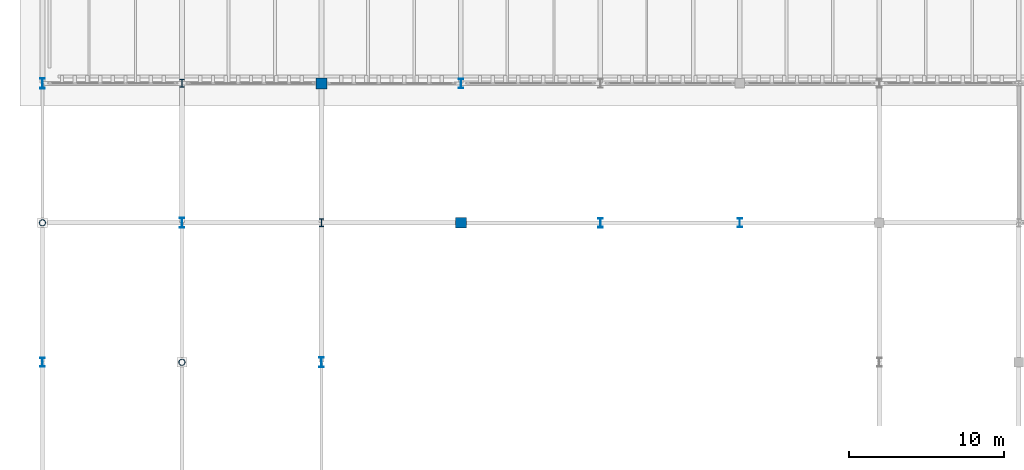
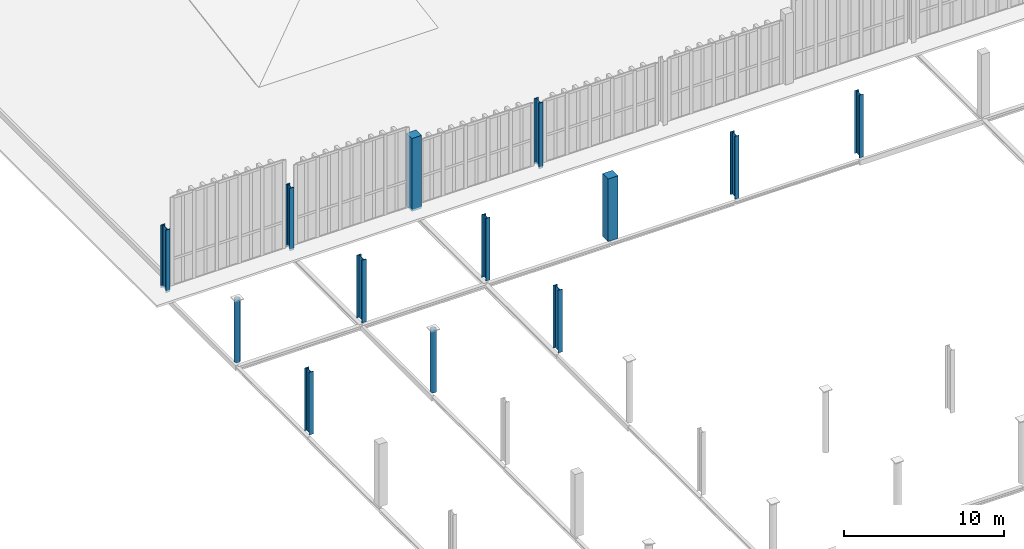
# One storey, part 3 of 196: 13 columns.
"""IFC4 building model written with IfcOpenShell, lengths in metres."""

from ifc_helpers import new_model, si_unit, direction, frame, origin, origin_2d, place, context, subcontext, project, spatial, rectangle, hollow_circle, i_section, extrude, material, material_profile, profile_set, type_object, element, save


model = new_model("IFC4")

# Units and contexts
model_context = context("Model", 3, precision=1e-05, world=origin(), true_north=direction((0.0, 1.0)))
body_context = subcontext(model_context, "Body", "Model", "MODEL_VIEW")
ifc_project = project(units=[si_unit("LENGTHUNIT", "METRE"), si_unit("AREAUNIT", "SQUARE_METRE"), si_unit("VOLUMEUNIT", "CUBIC_METRE"), si_unit("PLANEANGLEUNIT", "RADIAN"), si_unit("MASSUNIT", "GRAM", prefix="KILO")], contexts=[model_context])

# Site, building, storey
site_placement = place(None, origin())
site = spatial("IfcSite", under=ifc_project, at=site_placement, CompositionType="ELEMENT")
building_placement = place(site_placement, origin())
building = spatial("IfcBuilding", under=site, at=building_placement, Name="Barlavento Convention Centre", CompositionType="ELEMENT")
storey_placement = place(building_placement, frame((0.0, 0.0, 18.0)))
storey = spatial("IfcBuildingStorey", under=building, at=storey_placement, Name="L03", CompositionType="ELEMENT", Elevation=18.0)

# Columns
ifc_material_1 = material(Name="Steel S355", Category="steel")
ifc_material_profile_1 = material_profile(ifc_material_1, hollow_circle(Radius=0.203125, WallThickness=0.01611328125, at=origin_2d()), Name="CHS 406.4x16.0")
ifc_profile_set_1 = profile_set([ifc_material_profile_1], Name="Steel S355")
column_type_1 = type_object("IfcColumnType", Name="STR-COL-CHS406", PredefinedType="COLUMN", material=ifc_profile_set_1)
for number, where, z_axis, x_axis, name in (
    (1, (0.0, 45.0, 0.0), (0.0, 0.0, 1.0), (1.0, 0.0, 0.0), "L03 Congress hall column SC14"),
    (2, (9.0, 36.0, 0.0), (0.0, 0.0, 1.0), (1.0, 0.0, 0.0), "L03 Congress hall column SC14"),
):
    element("IfcColumn", number, at=place(storey_placement, frame(where, z_axis=z_axis, x_axis=x_axis)), inside=storey, type_object=column_type_1, Name=name, PredefinedType="COLUMN", context=body_context, shape_type="SweptSolid", body=[
        extrude(hollow_circle(Radius=0.203125, WallThickness=0.01611328125, at=origin_2d()), origin(), (0.0, 0.0, 1.0), 4.800048828125),
    ])
ifc_material_profile_2 = material_profile(ifc_material_1, i_section(OverallWidth=0.300048828125, OverallDepth=0.60009765625, WebThickness=0.015380859375, FlangeThickness=0.030029296875, FilletRadius=0.027099609375, at=origin_2d()), Name="HEB 600")
ifc_profile_set_2 = profile_set([ifc_material_profile_2], Name="Steel S355")
column_type_2 = type_object("IfcColumnType", Name="STR-COL-HEB600", PredefinedType="COLUMN", material=ifc_profile_set_2)
column_1_placement = place(storey_placement, frame((45.0, 45.0, 0.0), z_axis=(0.0, 0.0, 1.0), x_axis=(1.0, 0.0, 0.0)))
element("IfcColumn", 3, at=column_1_placement, inside=storey, type_object=column_type_2, Name="L03 Congress hall column SC08", PredefinedType="COLUMN", context=body_context, shape_type="SweptSolid", body=[
    extrude(i_section(OverallWidth=0.300048828125, OverallDepth=0.60009765625, WebThickness=0.015380859375, FlangeThickness=0.030029296875, FilletRadius=0.027099609375, at=origin_2d()), origin(), (0.0, 0.0, 1.0), 4.800048828125),
])
ifc_material_profile_3 = material_profile(ifc_material_1, i_section(OverallWidth=0.305908203125, OverallDepth=0.52392578125, WebThickness=0.02099609375, FlangeThickness=0.0400390625, FilletRadius=0.027099609375, at=origin_2d()), Name="HEM 500")
ifc_profile_set_3 = profile_set([ifc_material_profile_3], Name="Steel S355")
column_type_3 = type_object("IfcColumnType", Name="STR-COL-HEM500", PredefinedType="COLUMN", material=ifc_profile_set_3)
for number, where, z_axis, x_axis, name in (
    (4, (9.0, 54.0, 0.0), (0.0, 0.0, 1.0), (1.0, 0.0, 0.0), "L03 Congress hall column SC07"),
    (5, (18.0, 45.0, 0.0), (0.0, 0.0, 1.0), (1.0, 0.0, 0.0), "L03 Congress hall column SC07"),
):
    element("IfcColumn", number, at=place(storey_placement, frame(where, z_axis=z_axis, x_axis=x_axis)), inside=storey, type_object=column_type_3, Name=name, PredefinedType="COLUMN", context=body_context, shape_type="SweptSolid", body=[
        extrude(i_section(OverallWidth=0.305908203125, OverallDepth=0.52392578125, WebThickness=0.02099609375, FlangeThickness=0.0400390625, FilletRadius=0.027099609375, at=origin_2d()), origin(), (0.0, 0.0, 1.0), 4.800048828125),
    ])
ifc_material_profile_4 = material_profile(ifc_material_1, i_section(OverallWidth=0.305908203125, OverallDepth=0.572021484375, WebThickness=0.02099609375, FlangeThickness=0.0400390625, FilletRadius=0.027099609375, at=origin_2d()), Name="HEM 550")
ifc_profile_set_4 = profile_set([ifc_material_profile_4], Name="Steel S355")
column_type_4 = type_object("IfcColumnType", Name="STR-COL-HEM550", PredefinedType="COLUMN", material=ifc_profile_set_4)
column_2_placement = place(storey_placement, frame((0.0, 36.0, 0.0), z_axis=(0.0, 0.0, 1.0), x_axis=(1.0, 0.0, 0.0)))
element("IfcColumn", 6, at=column_2_placement, inside=storey, type_object=column_type_4, Name="L03 Congress hall column SC06", PredefinedType="COLUMN", context=body_context, shape_type="SweptSolid", body=[
    extrude(i_section(OverallWidth=0.305908203125, OverallDepth=0.572021484375, WebThickness=0.02099609375, FlangeThickness=0.0400390625, FilletRadius=0.027099609375, at=origin_2d()), origin(), (0.0, 0.0, 1.0), 4.800048828125),
])
ifc_material_profile_5 = material_profile(ifc_material_1, i_section(OverallWidth=0.304931640625, OverallDepth=0.6201171875, WebThickness=0.02099609375, FlangeThickness=0.0400390625, FilletRadius=0.027099609375, at=origin_2d()), Name="HEM 600")
ifc_profile_set_5 = profile_set([ifc_material_profile_5], Name="Steel S355")
column_type_5 = type_object("IfcColumnType", Name="STR-COL-HEM600", PredefinedType="COLUMN", material=ifc_profile_set_5)
column_3_placement = place(storey_placement, frame((27.0, 54.0, 0.0), z_axis=(0.0, 0.0, 1.0), x_axis=(1.0, 0.0, 0.0)))
element("IfcColumn", 7, at=column_3_placement, inside=storey, type_object=column_type_5, Name="L03 Congress hall column SC05", PredefinedType="COLUMN", context=body_context, shape_type="SweptSolid", body=[
    extrude(i_section(OverallWidth=0.304931640625, OverallDepth=0.6201171875, WebThickness=0.02099609375, FlangeThickness=0.0400390625, FilletRadius=0.027099609375, at=origin_2d()), origin(), (0.0, 0.0, 1.0), 5.0390625),
])
column_4_placement = place(storey_placement, frame((36.0, 45.0, 0.0), z_axis=(0.0, 0.0, 1.0), x_axis=(1.0, 0.0, 0.0)))
element("IfcColumn", 8, at=column_4_placement, inside=storey, type_object=column_type_5, Name="L03 Congress hall column SC05", PredefinedType="COLUMN", context=body_context, shape_type="SweptSolid", body=[
    extrude(i_section(OverallWidth=0.304931640625, OverallDepth=0.6201171875, WebThickness=0.02099609375, FlangeThickness=0.0400390625, FilletRadius=0.027099609375, at=origin_2d()), origin(), (0.0, 0.0, 1.0), 4.800048828125),
])
ifc_material_2 = material(Name="Steel S460", Category="steel")
ifc_material_profile_6 = material_profile(ifc_material_2, i_section(OverallWidth=0.304931640625, OverallDepth=0.66796875, WebThickness=0.02099609375, FlangeThickness=0.0400390625, FilletRadius=0.027099609375, at=origin_2d()), Name="HEM 650")
ifc_profile_set_6 = profile_set([ifc_material_profile_6], Name="Steel S460")
column_type_6 = type_object("IfcColumnType", Name="STR-COL-HEM650", PredefinedType="COLUMN", material=ifc_profile_set_6)
for number, where, z_axis, x_axis, name in (
    (9, (0.0, 54.0, 0.0), (0.0, 0.0, 1.0), (1.0, 0.0, 0.0), "L03 Congress hall column SC04"),
    (10, (9.0, 45.0, 0.0), (0.0, 0.0, 1.0), (1.0, 0.0, 0.0), "L03 Congress hall column SC04"),
    (11, (18.0, 36.0, 0.0), (0.0, 0.0, 1.0), (1.0, 0.0, 0.0), "L03 Congress hall column SC04"),
):
    element("IfcColumn", number, at=place(storey_placement, frame(where, z_axis=z_axis, x_axis=x_axis)), inside=storey, type_object=column_type_6, Name=name, PredefinedType="COLUMN", context=body_context, shape_type="SweptSolid", body=[
        extrude(i_section(OverallWidth=0.304931640625, OverallDepth=0.66796875, WebThickness=0.02099609375, FlangeThickness=0.0400390625, FilletRadius=0.027099609375, at=origin_2d()), origin(), (0.0, 0.0, 1.0), 4.800048828125),
    ])
ifc_material_3 = material(Name="Concrete C40/50", Category="concrete")
ifc_material_profile_7 = material_profile(ifc_material_3, rectangle(XDim=0.699951171875, YDim=0.699951171875, at=origin_2d()), Name="RC 700x700")
ifc_profile_set_7 = profile_set([ifc_material_profile_7], Name="Concrete C40/50")
column_type_7 = type_object("IfcColumnType", Name="STR-COL-RC700", PredefinedType="COLUMN", material=ifc_profile_set_7)
column_5_placement = place(storey_placement, frame((18.0, 54.0, 0.0), z_axis=(0.0, 0.0, 1.0), x_axis=(1.0, 0.0, 0.0)))
element("IfcColumn", 12, at=column_5_placement, inside=storey, type_object=column_type_7, Name="L03 Congress hall column CC06", PredefinedType="COLUMN", context=body_context, shape_type="SweptSolid", body=[
    extrude(rectangle(XDim=0.699951171875, YDim=0.699951171875, at=origin_2d()), origin(), (0.0, 0.0, 1.0), 5.582763671875),
])
column_6_placement = place(storey_placement, frame((27.0, 45.0, 0.0), z_axis=(0.0, 0.0, 1.0), x_axis=(1.0, 0.0, 0.0)))
element("IfcColumn", 13, at=column_6_placement, inside=storey, type_object=column_type_7, Name="L03 Congress hall column CC06", PredefinedType="COLUMN", context=body_context, shape_type="SweptSolid", body=[
    extrude(rectangle(XDim=0.699951171875, YDim=0.699951171875, at=origin_2d()), origin(), (0.0, 0.0, 1.0), 4.800048828125),
])

save(model, "model.ifc")
